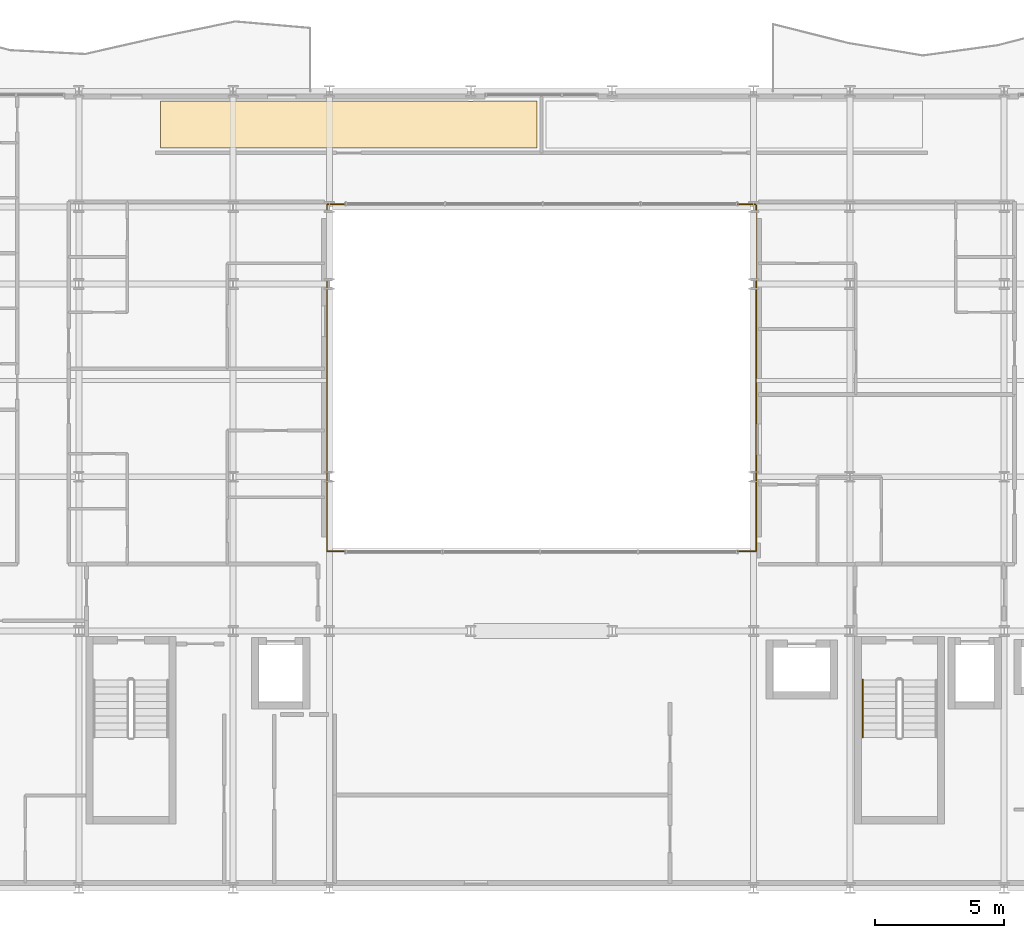
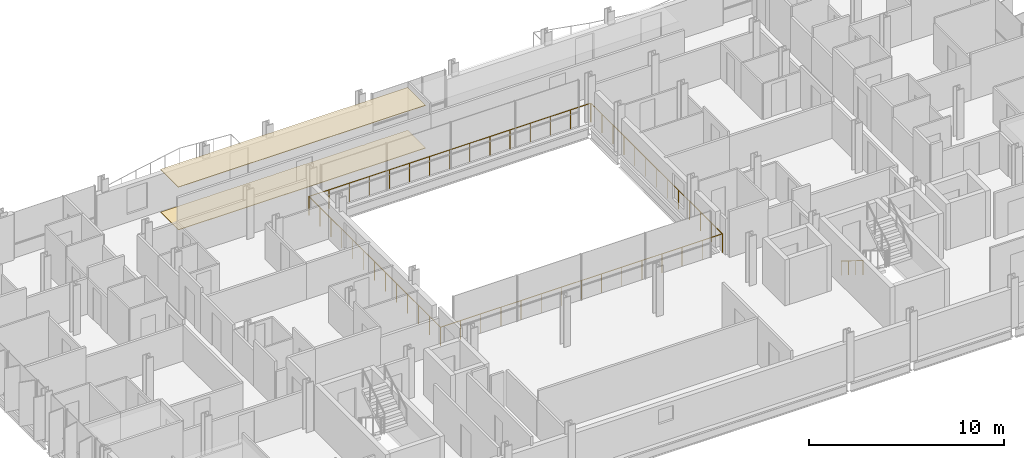
# One storey, part 37 of 39: 3 railings, 2 coverings.
"""IFC4 building model written with IfcOpenShell, lengths in metres."""

from ifc_helpers import new_model, si_unit, direction, frame, origin, origin_2d, place, context, subcontext, project, spatial, polyline, circle, outline, extrude, material, layer, layer_set, type_object, element, save


model = new_model("IFC4")

# Units and contexts
model_context = context("Model", 3, precision=1e-05, world=origin(), true_north=direction((0.0, 1.0)))
body_context = subcontext(model_context, "Body", "Model", "MODEL_VIEW")
ifc_project = project(units=[si_unit("LENGTHUNIT", "METRE"), si_unit("AREAUNIT", "SQUARE_METRE"), si_unit("VOLUMEUNIT", "CUBIC_METRE"), si_unit("PLANEANGLEUNIT", "RADIAN"), si_unit("MASSUNIT", "GRAM", prefix="KILO")], contexts=[model_context])

# Site, building, storey
site_placement = place(None, origin())
site = spatial("IfcSite", under=ifc_project, at=site_placement, CompositionType="ELEMENT")
building_placement = place(site_placement, origin())
building = spatial("IfcBuilding", under=site, at=building_placement, Name="Brevholm Reach", CompositionType="ELEMENT")
storey_placement = place(building_placement, frame((0.0, 0.0, 103.5)))
storey = spatial("IfcBuildingStorey", under=building, at=storey_placement, Name="L30", CompositionType="ELEMENT", Elevation=103.5)

# Coverings
ifc_material_1 = material(Name="Moisture-Resistant Skimmed Gypsum Plasterboard Ceiling", Category="gypsum")
ifc_layer_1 = layer(ifc_material_1, 0.030029296875)
ifc_layer_set_1 = layer_set([ifc_layer_1], Name="Moisture-Resistant Skimmed Gypsum Plasterboard Ceiling")
covering_type_1 = type_object("IfcCoveringType", Name="COV-CLG-GYP", PredefinedType="CEILING", material=ifc_layer_set_1)
covering_1_placement = place(storey_placement, frame((0.0, 0.0, 2.679931640625)))
element("IfcCovering", 1, at=covering_1_placement, inside=storey, type_object=covering_type_1, Name="L30 Suspended Ceiling L30-77", PredefinedType="CEILING", context=body_context, shape_type="SweptSolid", body=[
    extrude(outline(polyline([(15.179931640625, 30.6201171875), (17.876220703125, 30.6201171875), (17.8837890625, 30.6171875), (17.922119140625, 30.607666015625), (17.960693359375, 30.601806640625), (18.0, 30.60009765625), (18.039306640625, 30.601806640625), (18.077880859375, 30.607666015625), (18.1162109375, 30.6171875), (18.123779296875, 30.6201171875), (21.626220703125, 30.6201171875), (21.6337890625, 30.6171875), (21.672119140625, 30.607666015625), (21.710693359375, 30.601806640625), (21.75, 30.60009765625), (21.789306640625, 30.601806640625), (21.827880859375, 30.607666015625), (21.8662109375, 30.6171875), (21.873779296875, 30.6201171875), (27.126220703125, 30.6201171875), (27.1337890625, 30.6171875), (27.172119140625, 30.607666015625), (27.210693359375, 30.601806640625), (27.25, 30.60009765625), (27.289306640625, 30.601806640625), (27.327880859375, 30.607666015625), (27.3662109375, 30.6171875), (27.373779296875, 30.6201171875), (29.820068359375, 30.6201171875), (29.820068359375, 28.783935546875), (15.179931640625, 28.783935546875), (15.179931640625, 30.6201171875)])), origin(), (0.0, 0.0, 1.0), 0.030029296875),
])
ifc_material_2 = material(Name="Honed Portland-Aggregate Resin Terrazzo Flooring", Category="concrete")
ifc_layer_2 = layer(ifc_material_2, 0.031982421875)
ifc_layer_set_2 = layer_set([ifc_layer_2], Name="Honed Portland-Aggregate Resin Terrazzo Flooring")
covering_type_2 = type_object("IfcCoveringType", Name="COV-FLR-TRZ", PredefinedType="FLOORING", material=ifc_layer_set_2)
covering_2_placement = place(storey_placement, origin())
element("IfcCovering", 2, at=covering_2_placement, inside=storey, type_object=covering_type_2, Name="L30 Floor Finish L30-77", PredefinedType="FLOORING", context=body_context, shape_type="SweptSolid", body=[
    extrude(outline(polyline([(15.179931640625, 30.6201171875), (17.876220703125, 30.6201171875), (17.8837890625, 30.6171875), (17.922119140625, 30.607666015625), (17.960693359375, 30.601806640625), (18.0, 30.60009765625), (18.039306640625, 30.601806640625), (18.077880859375, 30.607666015625), (18.1162109375, 30.6171875), (18.123779296875, 30.6201171875), (21.626220703125, 30.6201171875), (21.6337890625, 30.6171875), (21.672119140625, 30.607666015625), (21.710693359375, 30.601806640625), (21.75, 30.60009765625), (21.789306640625, 30.601806640625), (21.827880859375, 30.607666015625), (21.8662109375, 30.6171875), (21.873779296875, 30.6201171875), (27.126220703125, 30.6201171875), (27.1337890625, 30.6171875), (27.172119140625, 30.607666015625), (27.210693359375, 30.601806640625), (27.25, 30.60009765625), (27.289306640625, 30.601806640625), (27.327880859375, 30.607666015625), (27.3662109375, 30.6171875), (27.373779296875, 30.6201171875), (29.820068359375, 30.6201171875), (29.820068359375, 28.783935546875), (15.179931640625, 28.783935546875), (15.179931640625, 30.6201171875)])), origin(), (0.0, 0.0, 1.0), 0.031982421875),
])

# Railings
ifc_material_3 = material(Name="Brushed Stainless Steel EN 1.4401 Continuous Handrail", Category="steel")
railing_type_1 = type_object("IfcRailingType", Name="RAL-HND-950", PredefinedType="HANDRAIL", material=ifc_material_3)
railing_1_placement = place(storey_placement, frame((42.5, 8.10009765625, 0.172119140625)))
element("IfcRailing", 3, at=railing_1_placement, inside=storey, type_object=railing_type_1, Name="L30 ST-2 stair handrail 1", PredefinedType="HANDRAIL", context=body_context, shape_type="SweptSolid", body=[
    extrude(circle(Radius=0.02392578125, at=origin_2d()), frame((0.0, 0.0, 0.8857421875), z_axis=(0.0, -0.851747552033, 0.523952390591), x_axis=(1.0, 0.0, 0.0)), (0.0, 0.0, 1.0), 2.6298828125),
    extrude(circle(Radius=0.02099609375, at=origin_2d()), origin(), (0.0, 0.0, 1.0), 0.86181640625),
    extrude(circle(Radius=0.02099609375, at=origin_2d()), frame((0.0, -0.74658203125, 0.459228515625)), (0.0, 0.0, 1.0), 0.86181640625),
    extrude(circle(Radius=0.02099609375, at=origin_2d()), frame((0.0, -1.493408203125, 0.918701171875)), (0.0, 0.0, 1.0), 0.86181640625),
    extrude(circle(Radius=0.02099609375, at=origin_2d()), frame((0.0, -2.239990234375, 1.3779296875)), (0.0, 0.0, 1.0), 0.86181640625),
])
ifc_material_4 = material(Name="Brushed Stainless Steel EN 1.4401 and Laminated Glass", Category="steel")
railing_type_2 = type_object("IfcRailingType", Name="RAL-TERR-1200", PredefinedType="BALUSTRADE", material=ifc_material_4)
railing_2_placement = place(storey_placement, frame((21.64990234375, 13.10009765625, 0.0)))
element("IfcRailing", 4, at=railing_2_placement, inside=storey, type_object=railing_type_2, Name="L30 Guard Balustrade RAL-L30-AT-VOID-SW", PredefinedType="BALUSTRADE", context=body_context, shape_type="SweptSolid", body=[
    extrude(circle(Radius=0.02392578125, at=origin_2d()), frame((0.0, 0.0, 1.17578125), z_axis=(1.0, 0.0, 0.0), x_axis=(0.0, 1.0, 0.0)), (0.0, 0.0, 1.0), 16.7001953125),
    extrude(circle(Radius=0.02392578125, at=origin_2d()), frame((16.7001953125, 0.0, 1.17578125), z_axis=(0.0, 1.0, 0.0), x_axis=(-1.0, 0.0, 0.0)), (0.0, 0.0, 1.0), 13.47998046875),
    extrude(circle(Radius=0.02099609375, at=origin_2d()), origin(), (0.0, 0.0, 1.0), 1.15185546875),
    extrude(circle(Radius=0.02099609375, at=origin_2d()), frame((1.19287109375, 0.0, 0.0)), (0.0, 0.0, 1.0), 1.15185546875),
    extrude(circle(Radius=0.02099609375, at=origin_2d()), frame((2.3857421875, 0.0, 0.0)), (0.0, 0.0, 1.0), 1.15185546875),
    extrude(circle(Radius=0.02099609375, at=origin_2d()), frame((3.57861328125, 0.0, 0.0)), (0.0, 0.0, 1.0), 1.15185546875),
    extrude(circle(Radius=0.02099609375, at=origin_2d()), frame((4.771484375, 0.0, 0.0)), (0.0, 0.0, 1.0), 1.15185546875),
    extrude(circle(Radius=0.02099609375, at=origin_2d()), frame((5.96435546875, 0.0, 0.0)), (0.0, 0.0, 1.0), 1.15185546875),
    extrude(circle(Radius=0.02099609375, at=origin_2d()), frame((7.1572265625, 0.0, 0.0)), (0.0, 0.0, 1.0), 1.15185546875),
    extrude(circle(Radius=0.02099609375, at=origin_2d()), frame((8.35009765625, 0.0, 0.0)), (0.0, 0.0, 1.0), 1.15185546875),
    extrude(circle(Radius=0.02099609375, at=origin_2d()), frame((9.54296875, 0.0, 0.0)), (0.0, 0.0, 1.0), 1.15185546875),
    extrude(circle(Radius=0.02099609375, at=origin_2d()), frame((10.73583984375, 0.0, 0.0)), (0.0, 0.0, 1.0), 1.15185546875),
    extrude(circle(Radius=0.02099609375, at=origin_2d()), frame((11.9287109375, 0.0, 0.0)), (0.0, 0.0, 1.0), 1.15185546875),
    extrude(circle(Radius=0.02099609375, at=origin_2d()), frame((13.12158203125, 0.0, 0.0)), (0.0, 0.0, 1.0), 1.15185546875),
    extrude(circle(Radius=0.02099609375, at=origin_2d()), frame((14.314453125, 0.0, 0.0)), (0.0, 0.0, 1.0), 1.15185546875),
    extrude(circle(Radius=0.02099609375, at=origin_2d()), frame((15.50732421875, 0.0, 0.0)), (0.0, 0.0, 1.0), 1.15185546875),
    extrude(circle(Radius=0.02099609375, at=origin_2d()), frame((16.7001953125, 0.0, 0.0)), (0.0, 0.0, 1.0), 1.15185546875),
    extrude(circle(Radius=0.02099609375, at=origin_2d()), frame((16.7001953125, 1.123291015625, 0.0)), (0.0, 0.0, 1.0), 1.15185546875),
    extrude(circle(Radius=0.02099609375, at=origin_2d()), frame((16.7001953125, 2.24658203125, 0.0)), (0.0, 0.0, 1.0), 1.15185546875),
    extrude(circle(Radius=0.02099609375, at=origin_2d()), frame((16.7001953125, 3.3701171875, 0.0)), (0.0, 0.0, 1.0), 1.15185546875),
    extrude(circle(Radius=0.02099609375, at=origin_2d()), frame((16.7001953125, 4.493408203125, 0.0)), (0.0, 0.0, 1.0), 1.15185546875),
    extrude(circle(Radius=0.02099609375, at=origin_2d()), frame((16.7001953125, 5.61669921875, 0.0)), (0.0, 0.0, 1.0), 1.15185546875),
    extrude(circle(Radius=0.02099609375, at=origin_2d()), frame((16.7001953125, 6.739990234375, 0.0)), (0.0, 0.0, 1.0), 1.15185546875),
    extrude(circle(Radius=0.02099609375, at=origin_2d()), frame((16.7001953125, 7.86328125, 0.0)), (0.0, 0.0, 1.0), 1.15185546875),
    extrude(circle(Radius=0.02099609375, at=origin_2d()), frame((16.7001953125, 8.986572265625, 0.0)), (0.0, 0.0, 1.0), 1.15185546875),
    extrude(circle(Radius=0.02099609375, at=origin_2d()), frame((16.7001953125, 10.10986328125, 0.0)), (0.0, 0.0, 1.0), 1.15185546875),
    extrude(circle(Radius=0.02099609375, at=origin_2d()), frame((16.7001953125, 11.2333984375, 0.0)), (0.0, 0.0, 1.0), 1.15185546875),
    extrude(circle(Radius=0.02099609375, at=origin_2d()), frame((16.7001953125, 12.356689453125, 0.0)), (0.0, 0.0, 1.0), 1.15185546875),
    extrude(circle(Radius=0.02099609375, at=origin_2d()), frame((16.7001953125, 13.47998046875, 0.0)), (0.0, 0.0, 1.0), 1.15185546875),
])
railing_3_placement = place(storey_placement, frame((38.330078125, 26.60009765625, 0.0)))
element("IfcRailing", 5, at=railing_3_placement, inside=storey, type_object=railing_type_2, Name="L30 Guard Balustrade RAL-L30-AT-VOID-NE", PredefinedType="BALUSTRADE", context=body_context, shape_type="SweptSolid", body=[
    extrude(circle(Radius=0.02392578125, at=origin_2d()), frame((0.0, 0.0, 1.17578125), z_axis=(-1.0, 0.0, 0.0), x_axis=(0.0, -1.0, 0.0)), (0.0, 0.0, 1.0), 16.68017578125),
    extrude(circle(Radius=0.02392578125, at=origin_2d()), frame((-16.68017578125, 0.0, 1.17578125), z_axis=(0.0, -1.0, 0.0), x_axis=(1.0, 0.0, 0.0)), (0.0, 0.0, 1.0), 13.47998046875),
    extrude(circle(Radius=0.02099609375, at=origin_2d()), origin(), (0.0, 0.0, 1.0), 1.15185546875),
    extrude(circle(Radius=0.02099609375, at=origin_2d()), frame((-1.19140625, 0.0, 0.0)), (0.0, 0.0, 1.0), 1.15185546875),
    extrude(circle(Radius=0.02099609375, at=origin_2d()), frame((-2.3828125, 0.0, 0.0)), (0.0, 0.0, 1.0), 1.15185546875),
    extrude(circle(Radius=0.02099609375, at=origin_2d()), frame((-3.57421875, 0.0, 0.0)), (0.0, 0.0, 1.0), 1.15185546875),
    extrude(circle(Radius=0.02099609375, at=origin_2d()), frame((-4.765869140625, 0.0, 0.0)), (0.0, 0.0, 1.0), 1.15185546875),
    extrude(circle(Radius=0.02099609375, at=origin_2d()), frame((-5.957275390625, 0.0, 0.0)), (0.0, 0.0, 1.0), 1.15185546875),
    extrude(circle(Radius=0.02099609375, at=origin_2d()), frame((-7.148681640625, 0.0, 0.0)), (0.0, 0.0, 1.0), 1.15185546875),
    extrude(circle(Radius=0.02099609375, at=origin_2d()), frame((-8.340087890625, 0.0, 0.0)), (0.0, 0.0, 1.0), 1.15185546875),
    extrude(circle(Radius=0.02099609375, at=origin_2d()), frame((-9.531494140625, 0.0, 0.0)), (0.0, 0.0, 1.0), 1.15185546875),
    extrude(circle(Radius=0.02099609375, at=origin_2d()), frame((-10.722900390625, 0.0, 0.0)), (0.0, 0.0, 1.0), 1.15185546875),
    extrude(circle(Radius=0.02099609375, at=origin_2d()), frame((-11.914306640625, 0.0, 0.0)), (0.0, 0.0, 1.0), 1.15185546875),
    extrude(circle(Radius=0.02099609375, at=origin_2d()), frame((-13.10595703125, 0.0, 0.0)), (0.0, 0.0, 1.0), 1.15185546875),
    extrude(circle(Radius=0.02099609375, at=origin_2d()), frame((-14.29736328125, 0.0, 0.0)), (0.0, 0.0, 1.0), 1.15185546875),
    extrude(circle(Radius=0.02099609375, at=origin_2d()), frame((-15.48876953125, 0.0, 0.0)), (0.0, 0.0, 1.0), 1.15185546875),
    extrude(circle(Radius=0.02099609375, at=origin_2d()), frame((-16.68017578125, 0.0, 0.0)), (0.0, 0.0, 1.0), 1.15185546875),
    extrude(circle(Radius=0.02099609375, at=origin_2d()), frame((-16.68017578125, -1.123291015625, 0.0)), (0.0, 0.0, 1.0), 1.15185546875),
    extrude(circle(Radius=0.02099609375, at=origin_2d()), frame((-16.68017578125, -2.24658203125, 0.0)), (0.0, 0.0, 1.0), 1.15185546875),
    extrude(circle(Radius=0.02099609375, at=origin_2d()), frame((-16.68017578125, -3.3701171875, 0.0)), (0.0, 0.0, 1.0), 1.15185546875),
    extrude(circle(Radius=0.02099609375, at=origin_2d()), frame((-16.68017578125, -4.493408203125, 0.0)), (0.0, 0.0, 1.0), 1.15185546875),
    extrude(circle(Radius=0.02099609375, at=origin_2d()), frame((-16.68017578125, -5.61669921875, 0.0)), (0.0, 0.0, 1.0), 1.15185546875),
    extrude(circle(Radius=0.02099609375, at=origin_2d()), frame((-16.68017578125, -6.739990234375, 0.0)), (0.0, 0.0, 1.0), 1.15185546875),
    extrude(circle(Radius=0.02099609375, at=origin_2d()), frame((-16.68017578125, -7.86328125, 0.0)), (0.0, 0.0, 1.0), 1.15185546875),
    extrude(circle(Radius=0.02099609375, at=origin_2d()), frame((-16.68017578125, -8.986572265625, 0.0)), (0.0, 0.0, 1.0), 1.15185546875),
    extrude(circle(Radius=0.02099609375, at=origin_2d()), frame((-16.68017578125, -10.10986328125, 0.0)), (0.0, 0.0, 1.0), 1.15185546875),
    extrude(circle(Radius=0.02099609375, at=origin_2d()), frame((-16.68017578125, -11.2333984375, 0.0)), (0.0, 0.0, 1.0), 1.15185546875),
    extrude(circle(Radius=0.02099609375, at=origin_2d()), frame((-16.68017578125, -12.356689453125, 0.0)), (0.0, 0.0, 1.0), 1.15185546875),
    extrude(circle(Radius=0.02099609375, at=origin_2d()), frame((-16.68017578125, -13.47998046875, 0.0)), (0.0, 0.0, 1.0), 1.15185546875),
])

save(model, "model.ifc")
